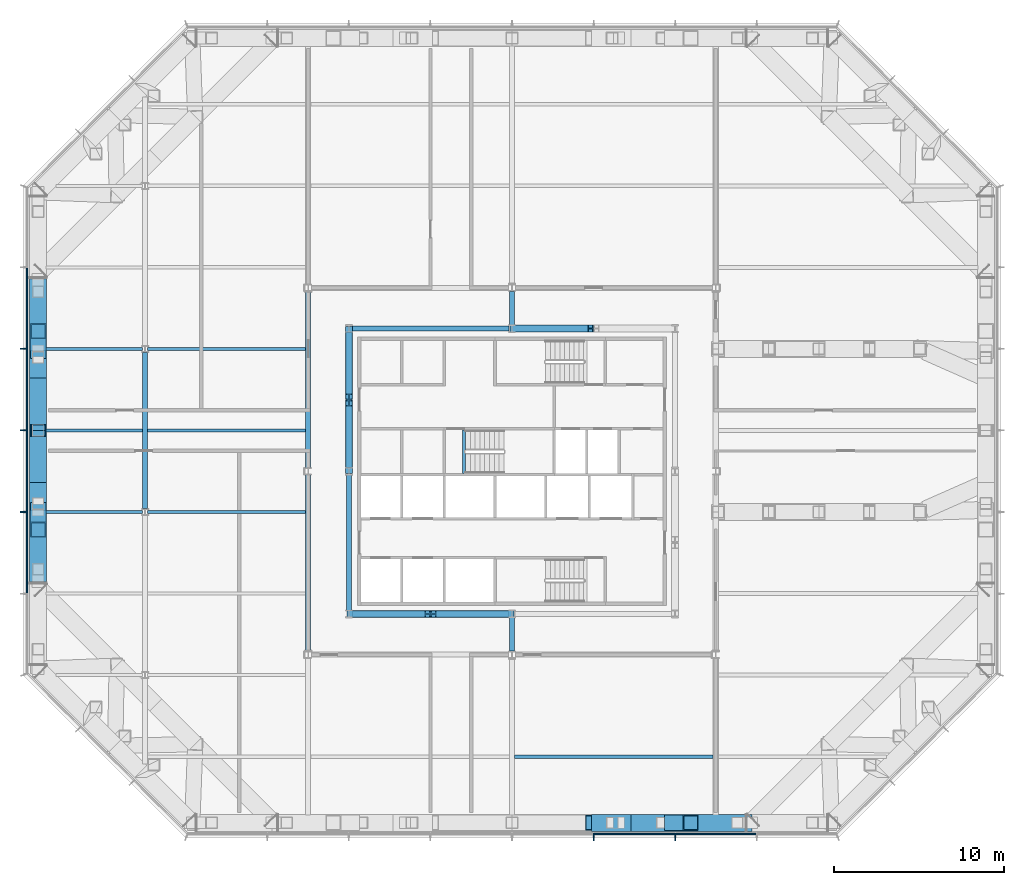
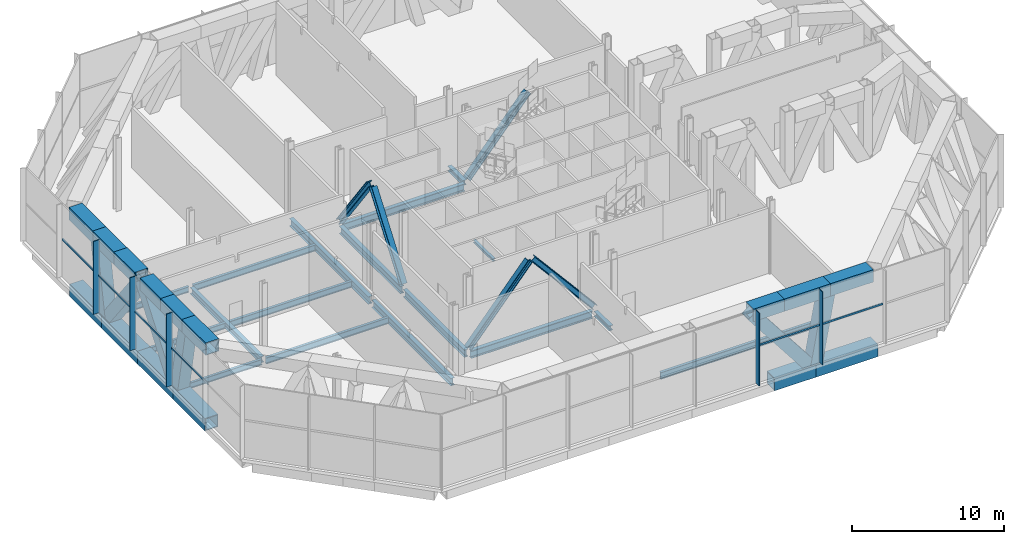
# One storey, part 4 of 17: 38 beams, 16 members, 2 elements without a shape of their own.
"""IFC4 building model written with IfcOpenShell, lengths in metres."""

from ifc_helpers import new_model, si_unit, direction, frame, origin, origin_2d, place, context, subcontext, project, spatial, rectangle, hollow_rectangle, i_section, extrude, material, material_profile, profile_set, type_object, element, aggregate, save


model = new_model("IFC4")

# Units and contexts
model_context = context("Model", 3, precision=1e-05, world=origin(), true_north=direction((0.0, 1.0)))
body_context = subcontext(model_context, "Body", "Model", "MODEL_VIEW")
ifc_project = project(units=[si_unit("LENGTHUNIT", "METRE"), si_unit("AREAUNIT", "SQUARE_METRE"), si_unit("VOLUMEUNIT", "CUBIC_METRE"), si_unit("PLANEANGLEUNIT", "RADIAN"), si_unit("MASSUNIT", "GRAM", prefix="KILO")], contexts=[model_context])

# Site, building, storey
site_placement = place(None, origin())
site = spatial("IfcSite", under=ifc_project, at=site_placement, CompositionType="ELEMENT")
building_placement = place(site_placement, origin())
building = spatial("IfcBuilding", under=site, at=building_placement, Name="Cairn Pilgrim Tower", CompositionType="ELEMENT")
storey_placement = place(building_placement, frame((0.0, 0.0, 119.39990234375)))
storey = spatial("IfcBuildingStorey", under=building, at=storey_placement, Name="L29", CompositionType="ELEMENT", Elevation=119.39990234375)

# Beams
ifc_material_1 = material(Name="Structural steel S460M", Category="steel")
ifc_material_profile_1 = material_profile(ifc_material_1, hollow_rectangle(XDim=1.0, YDim=1.0, WallThickness=0.06005859375, at=origin_2d()), Name="BOX 1000x1000x60")
ifc_profile_set_1 = profile_set([ifc_material_profile_1], Name="Structural steel S460M")
beam_type_1 = type_object("IfcBeamType", Name="BOX 1000x1000x60 CHORD", PredefinedType="USERDEFINED", material=ifc_profile_set_1)
beam_1_placement = place(storey_placement, frame((13.4755859375, -18.300048828125, -0.75), z_axis=(1.0, 0.0, 0.0), x_axis=(0.0, 1.0, 0.0)))
element("IfcBeam", 1, at=beam_1_placement, inside=storey, type_object=beam_type_1, Name="BT29-S-BC6", ObjectType="CHORD", PredefinedType="USERDEFINED", context=body_context, shape_type="SweptSolid", body=[
    extrude(hollow_rectangle(XDim=1.0, YDim=1.0, WallThickness=0.06005859375, at=origin_2d()), origin(), (0.0, 0.0, 1.0), 3.137939453125),
])
beam_2_placement = place(storey_placement, frame((11.875732421875, -18.300048828125, 5.35009765625), z_axis=(1.0, 0.0, 0.0), x_axis=(0.0, 1.0, 0.0)))
element("IfcBeam", 2, at=beam_2_placement, inside=storey, type_object=beam_type_1, Name="BT29-S-TC6", ObjectType="CHORD", PredefinedType="USERDEFINED", context=body_context, shape_type="SweptSolid", body=[
    extrude(hollow_rectangle(XDim=1.0, YDim=1.0, WallThickness=0.06005859375, at=origin_2d()), origin(), (0.0, 0.0, 1.0), 2.337890625),
])
beam_3_placement = place(storey_placement, frame((16.613525390625, -18.300048828125, -0.75), z_axis=(1.0, 0.0, 0.0), x_axis=(0.0, 1.0, 0.0)))
element("IfcBeam", 3, at=beam_3_placement, inside=storey, type_object=beam_type_1, Name="BT29-S-BC7", ObjectType="CHORD", PredefinedType="USERDEFINED", context=body_context, shape_type="SweptSolid", body=[
    extrude(hollow_rectangle(XDim=1.0, YDim=1.0, WallThickness=0.06005859375, at=origin_2d()), origin(), (0.0, 0.0, 1.0), 4.706787109375),
])
beam_4_placement = place(storey_placement, frame((14.213623046875, -18.300048828125, 5.35009765625), z_axis=(1.0, 0.0, 0.0), x_axis=(0.0, 1.0, 0.0)))
element("IfcBeam", 4, at=beam_4_placement, inside=storey, type_object=beam_type_1, Name="BT29-S-TC7", ObjectType="CHORD", PredefinedType="USERDEFINED", context=body_context, shape_type="SweptSolid", body=[
    extrude(hollow_rectangle(XDim=1.0, YDim=1.0, WallThickness=0.06005859375, at=origin_2d()), origin(), (0.0, 0.0, 1.0), 3.5068359375),
])
beam_5_placement = place(storey_placement, frame((17.720458984375, -18.300048828125, 5.35009765625), z_axis=(1.0, 0.0, 0.0), x_axis=(0.0, 1.0, 0.0)))
element("IfcBeam", 5, at=beam_5_placement, inside=storey, type_object=beam_type_1, Name="BT29-S-TC8", ObjectType="CHORD", PredefinedType="USERDEFINED", context=body_context, shape_type="SweptSolid", body=[
    extrude(hollow_rectangle(XDim=1.0, YDim=1.0, WallThickness=0.06005859375, at=origin_2d()), origin(), (0.0, 0.0, 1.0), 3.249755859375),
])
beam_6_placement = place(storey_placement, frame((-20.699951171875, 13.77001953125, 5.35009765625), z_axis=(0.0, -1.0, 0.0), x_axis=(1.0, 0.0, 0.0)))
element("IfcBeam", 6, at=beam_6_placement, inside=storey, type_object=beam_type_1, Name="BT29-W-TC1", ObjectType="CHORD", PredefinedType="USERDEFINED", context=body_context, shape_type="SweptSolid", body=[
    extrude(hollow_rectangle(XDim=1.0, YDim=1.0, WallThickness=0.06005859375, at=origin_2d()), origin(), (0.0, 0.0, 1.0), 3.126220703125),
])
beam_7_placement = place(storey_placement, frame((-20.699951171875, 13.683837890625, -0.75), z_axis=(0.0, -1.0, 0.0), x_axis=(1.0, 0.0, 0.0)))
element("IfcBeam", 7, at=beam_7_placement, inside=storey, type_object=beam_type_1, Name="BT29-W-BC2", ObjectType="CHORD", PredefinedType="USERDEFINED", context=body_context, shape_type="SweptSolid", body=[
    extrude(hollow_rectangle(XDim=1.0, YDim=1.0, WallThickness=0.06005859375, at=origin_2d()), origin(), (0.0, 0.0, 1.0), 4.208251953125),
])
beam_8_placement = place(storey_placement, frame((-20.699951171875, 10.643798828125, 5.35009765625), z_axis=(0.0, -1.0, 0.0), x_axis=(1.0, 0.0, 0.0)))
element("IfcBeam", 8, at=beam_8_placement, inside=storey, type_object=beam_type_1, Name="BT29-W-TC2", ObjectType="CHORD", PredefinedType="USERDEFINED", context=body_context, shape_type="SweptSolid", body=[
    extrude(hollow_rectangle(XDim=1.0, YDim=1.0, WallThickness=0.06005859375, at=origin_2d()), origin(), (0.0, 0.0, 1.0), 2.76806640625),
])
beam_9_placement = place(storey_placement, frame((-20.699951171875, 9.4755859375, -0.75), z_axis=(0.0, -1.0, 0.0), x_axis=(1.0, 0.0, 0.0)))
element("IfcBeam", 9, at=beam_9_placement, inside=storey, type_object=beam_type_1, Name="BT29-W-BC3", ObjectType="CHORD", PredefinedType="USERDEFINED", context=body_context, shape_type="SweptSolid", body=[
    extrude(hollow_rectangle(XDim=1.0, YDim=1.0, WallThickness=0.06005859375, at=origin_2d()), origin(), (0.0, 0.0, 1.0), 4.675537109375),
])
beam_10_placement = place(storey_placement, frame((-20.699951171875, 7.875732421875, 5.35009765625), z_axis=(0.0, -1.0, 0.0), x_axis=(1.0, 0.0, 0.0)))
element("IfcBeam", 10, at=beam_10_placement, inside=storey, type_object=beam_type_1, Name="BT29-W-TC3", ObjectType="CHORD", PredefinedType="USERDEFINED", context=body_context, shape_type="SweptSolid", body=[
    extrude(hollow_rectangle(XDim=1.0, YDim=1.0, WallThickness=0.06005859375, at=origin_2d()), origin(), (0.0, 0.0, 1.0), 2.725830078125),
])
beam_11_placement = place(storey_placement, frame((-20.699951171875, 4.800048828125, -0.75), z_axis=(0.0, -1.0, 0.0), x_axis=(1.0, 0.0, 0.0)))
element("IfcBeam", 11, at=beam_11_placement, inside=storey, type_object=beam_type_1, Name="BT29-W-BC4", ObjectType="CHORD", PredefinedType="USERDEFINED", context=body_context, shape_type="SweptSolid", body=[
    extrude(hollow_rectangle(XDim=1.0, YDim=1.0, WallThickness=0.06005859375, at=origin_2d()), origin(), (0.0, 0.0, 1.0), 4.67578125),
])
beam_12_placement = place(storey_placement, frame((-20.699951171875, 4.449951171875, 5.35009765625), z_axis=(0.0, -1.0, 0.0), x_axis=(1.0, 0.0, 0.0)))
element("IfcBeam", 12, at=beam_12_placement, inside=storey, type_object=beam_type_1, Name="BT29-W-TC4", ObjectType="CHORD", PredefinedType="USERDEFINED", context=body_context, shape_type="SweptSolid", body=[
    extrude(hollow_rectangle(XDim=1.0, YDim=1.0, WallThickness=0.06005859375, at=origin_2d()), origin(), (0.0, 0.0, 1.0), 2.7255859375),
])
beam_13_placement = place(storey_placement, frame((-20.699951171875, 0.124267578125, -0.75), z_axis=(0.0, -1.0, 0.0), x_axis=(1.0, 0.0, 0.0)))
element("IfcBeam", 13, at=beam_13_placement, inside=storey, type_object=beam_type_1, Name="BT29-W-BC5", ObjectType="CHORD", PredefinedType="USERDEFINED", context=body_context, shape_type="SweptSolid", body=[
    extrude(hollow_rectangle(XDim=1.0, YDim=1.0, WallThickness=0.06005859375, at=origin_2d()), origin(), (0.0, 0.0, 1.0), 4.208251953125),
])
beam_14_placement = place(storey_placement, frame((-20.699951171875, 1.724365234375, 5.35009765625), z_axis=(0.0, -1.0, 0.0), x_axis=(1.0, 0.0, 0.0)))
element("IfcBeam", 14, at=beam_14_placement, inside=storey, type_object=beam_type_1, Name="BT29-W-TC5", ObjectType="CHORD", PredefinedType="USERDEFINED", context=body_context, shape_type="SweptSolid", body=[
    extrude(hollow_rectangle(XDim=1.0, YDim=1.0, WallThickness=0.06005859375, at=origin_2d()), origin(), (0.0, 0.0, 1.0), 2.768310546875),
])
beam_15_placement = place(storey_placement, frame((-20.699951171875, -1.0439453125, 5.35009765625), z_axis=(0.0, -1.0, 0.0), x_axis=(1.0, 0.0, 0.0)))
element("IfcBeam", 15, at=beam_15_placement, inside=storey, type_object=beam_type_1, Name="BT29-W-TC6", ObjectType="CHORD", PredefinedType="USERDEFINED", context=body_context, shape_type="SweptSolid", body=[
    extrude(hollow_rectangle(XDim=1.0, YDim=1.0, WallThickness=0.06005859375, at=origin_2d()), origin(), (0.0, 0.0, 1.0), 3.126220703125),
])
ifc_material_profile_2 = material_profile(ifc_material_1, hollow_rectangle(XDim=0.89990234375, YDim=0.89990234375, WallThickness=0.050048828125, at=origin_2d()), Name="BOX 900x900x50")
ifc_profile_set_2 = profile_set([ifc_material_profile_2], Name="Structural steel S460M")
beam_type_2 = type_object("IfcBeamType", Name="BOX 900x900x50 DIAGONAL", PredefinedType="USERDEFINED", material=ifc_profile_set_2)
beam_16_placement = place(storey_placement, frame((11.875732421875, -18.300048828125, 5.35009765625), z_axis=(0.613397771934, 0.0, -0.789774128081), x_axis=(0.0, 1.0, 0.0)))
element("IfcBeam", 16, at=beam_16_placement, inside=storey, type_object=beam_type_2, Name="BT29-S-D6", ObjectType="DIAGONAL", PredefinedType="USERDEFINED", context=body_context, shape_type="SweptSolid", body=[
    extrude(hollow_rectangle(XDim=0.89990234375, YDim=0.89990234375, WallThickness=0.050048828125, at=origin_2d()), origin(), (0.0, 0.0, 1.0), 7.723876953125),
])
beam_17_placement = place(storey_placement, frame((16.613525390625, -18.300048828125, -0.75), z_axis=(0.178545820319, 0.0, 0.983931598256), x_axis=(0.0, 1.0, 0.0)))
element("IfcBeam", 17, at=beam_17_placement, inside=storey, type_object=beam_type_2, Name="BT29-S-D7", ObjectType="DIAGONAL", PredefinedType="USERDEFINED", context=body_context, shape_type="SweptSolid", body=[
    extrude(hollow_rectangle(XDim=0.89990234375, YDim=0.89990234375, WallThickness=0.050048828125, at=origin_2d()), origin(), (0.0, 0.0, 1.0), 6.19970703125),
])
beam_18_placement = place(storey_placement, frame((-20.699951171875, 10.643798828125, 5.35009765625), z_axis=(0.0, -0.188089212719, -0.982151947541), x_axis=(1.0, 0.0, 0.0)))
element("IfcBeam", 18, at=beam_18_placement, inside=storey, type_object=beam_type_2, Name="BT29-W-D2", ObjectType="DIAGONAL", PredefinedType="USERDEFINED", context=body_context, shape_type="SweptSolid", body=[
    extrude(hollow_rectangle(XDim=0.89990234375, YDim=0.89990234375, WallThickness=0.050048828125, at=origin_2d()), origin(), (0.0, 0.0, 1.0), 6.2109375),
])
beam_19_placement = place(storey_placement, frame((-20.699951171875, 9.4755859375, -0.75), z_axis=(0.0, -0.608332842725, 0.793682022262), x_axis=(1.0, 0.0, 0.0)))
element("IfcBeam", 19, at=beam_19_placement, inside=storey, type_object=beam_type_2, Name="BT29-W-D3", ObjectType="DIAGONAL", PredefinedType="USERDEFINED", context=body_context, shape_type="SweptSolid", body=[
    extrude(hollow_rectangle(XDim=0.89990234375, YDim=0.89990234375, WallThickness=0.050048828125, at=origin_2d()), origin(), (0.0, 0.0, 1.0), 7.685791015625),
])
beam_20_placement = place(storey_placement, frame((-20.699951171875, 4.800048828125, 5.35009765625), z_axis=(0.0, -0.608352851952, -0.793666685405), x_axis=(1.0, 0.0, 0.0)))
element("IfcBeam", 20, at=beam_20_placement, inside=storey, type_object=beam_type_2, Name="BT29-W-D4", ObjectType="DIAGONAL", PredefinedType="USERDEFINED", context=body_context, shape_type="SweptSolid", body=[
    extrude(hollow_rectangle(XDim=0.89990234375, YDim=0.89990234375, WallThickness=0.050048828125, at=origin_2d()), origin(), (0.0, 0.0, 1.0), 7.68603515625),
])
beam_21_placement = place(storey_placement, frame((-20.699951171875, 0.124267578125, -0.75), z_axis=(0.0, -0.188089212719, 0.982151947541), x_axis=(1.0, 0.0, 0.0)))
element("IfcBeam", 21, at=beam_21_placement, inside=storey, type_object=beam_type_2, Name="BT29-W-D5", ObjectType="DIAGONAL", PredefinedType="USERDEFINED", context=body_context, shape_type="SweptSolid", body=[
    extrude(hollow_rectangle(XDim=0.89990234375, YDim=0.89990234375, WallThickness=0.050048828125, at=origin_2d()), origin(), (0.0, 0.0, 1.0), 6.2109375),
])

# Curtain wall, members
ifc_material_2 = material(Name="Aluminium alloy 6063-T6 bronze anodised with Bronze tinted laminated low-E glass 8+16+8.8", Category="aluminium")
curtain_wall_type = type_object("IfcCurtainWallType", Name="PLANT LOUVRE CURTAIN WALL", PredefinedType="NOTDEFINED", material=ifc_material_2)
curtain_wall_1_placement = place(storey_placement, origin())
curtain_wall_1 = element("IfcCurtainWall", 22, at=curtain_wall_1_placement, inside=storey, type_object=curtain_wall_type, Name="Plant Louvre Curtain Wall S", PredefinedType="NOTDEFINED")
ifc_material_3 = material(Name="Aluminium alloy 6063-T6 bronze anodised", Category="aluminium")
ifc_material_profile_3 = material_profile(ifc_material_3, rectangle(XDim=0.449951171875, YDim=0.06005859375, at=origin_2d()), Name="FIN MULLION 60x450 BRONZE")
ifc_profile_set_3 = profile_set([ifc_material_profile_3], Name="Aluminium alloy 6063-T6 bronze anodised")
member_type_1 = type_object("IfcMemberType", Name="FIN MULLION 60x450 BRONZE", PredefinedType="MULLION", material=ifc_profile_set_3)
member_1_placement = place(storey_placement, frame((12.0, -19.14501953125, 0.0), z_axis=(0.0, 0.0, 1.0), x_axis=(0.0, -1.0, 0.0)))
member_1 = element("IfcMember", 23, at=member_1_placement, type_object=member_type_1, Name="Fin mullion S6", PredefinedType="MULLION", context=body_context, shape_type="SweptSolid", body=[
    extrude(rectangle(XDim=0.449951171875, YDim=0.06005859375, at=origin_2d()), origin(), (0.0, 0.0, 1.0), 5.85009765625),
])
member_2_placement = place(storey_placement, frame((16.800048828125, -19.14501953125, 0.0), z_axis=(0.0, 0.0, 1.0), x_axis=(0.0, -1.0, 0.0)))
member_2 = element("IfcMember", 24, at=member_2_placement, type_object=member_type_1, Name="Fin mullion S7", PredefinedType="MULLION", context=body_context, shape_type="SweptSolid", body=[
    extrude(rectangle(XDim=0.449951171875, YDim=0.06005859375, at=origin_2d()), origin(), (0.0, 0.0, 1.0), 5.85009765625),
])

curtain_wall_2_placement = place(storey_placement, origin())
curtain_wall_2 = element("IfcCurtainWall", 25, at=curtain_wall_2_placement, inside=storey, type_object=curtain_wall_type, Name="Plant Louvre Curtain Wall W", PredefinedType="NOTDEFINED")
member_3_placement = place(storey_placement, frame((-21.544921875, 9.60009765625, 0.0), z_axis=(0.0, 0.0, 1.0), x_axis=(-1.0, 0.0, 0.0)))
member_3 = element("IfcMember", 26, at=member_3_placement, type_object=member_type_1, Name="Fin mullion W3", PredefinedType="MULLION", context=body_context, shape_type="SweptSolid", body=[
    extrude(rectangle(XDim=0.449951171875, YDim=0.06005859375, at=origin_2d()), origin(), (0.0, 0.0, 1.0), 5.85009765625),
])
member_4_placement = place(storey_placement, frame((-21.544921875, 4.800048828125, 0.0), z_axis=(0.0, 0.0, 1.0), x_axis=(-1.0, 0.0, 0.0)))
member_4 = element("IfcMember", 27, at=member_4_placement, type_object=member_type_1, Name="Fin mullion W4", PredefinedType="MULLION", context=body_context, shape_type="SweptSolid", body=[
    extrude(rectangle(XDim=0.449951171875, YDim=0.06005859375, at=origin_2d()), origin(), (0.0, 0.0, 1.0), 5.85009765625),
])
member_5_placement = place(storey_placement, frame((-21.544921875, 0.0, 0.0), z_axis=(0.0, 0.0, 1.0), x_axis=(-1.0, 0.0, 0.0)))
member_5 = element("IfcMember", 28, at=member_5_placement, type_object=member_type_1, Name="Fin mullion W5", PredefinedType="MULLION", context=body_context, shape_type="SweptSolid", body=[
    extrude(rectangle(XDim=0.449951171875, YDim=0.06005859375, at=origin_2d()), origin(), (0.0, 0.0, 1.0), 5.85009765625),
])

# Members
ifc_material_profile_4 = material_profile(ifc_material_1, i_section(OverallWidth=0.408935546875, OverallDepth=0.425048828125, WebThickness=0.03271484375, FlangeThickness=0.052490234375, FilletRadius=0.014892578125, at=origin_2d()), Name="HD 400x421")
ifc_profile_set_4 = profile_set([ifc_material_profile_4], Name="Structural steel S460M")
member_type_2 = type_object("IfcMemberType", Name="HD 400x421 BRACE", PredefinedType="BRACE", material=ifc_profile_set_4)
for number, where, z_axis, x_axis, name in (
    (29, (-2.357666015625, -6.0, 0.0), (0.647235354124, 0.0, 0.762290231061), (0.0, 1.0, 0.0), "KB-1A"),
    (30, (7.15771484375, -6.0, 0.0), (-0.647235354124, 0.0, 0.762290231061), (0.0, -1.0, 0.0), "KB-1B"),
):
    element("IfcMember", number, at=place(storey_placement, frame(where, z_axis=z_axis, x_axis=x_axis)), inside=storey, type_object=member_type_2, Name=name, PredefinedType="BRACE", context=body_context, shape_type="SweptSolid", body=[
        extrude(i_section(OverallWidth=0.408935546875, OverallDepth=0.425048828125, WebThickness=0.03271484375, FlangeThickness=0.052490234375, FilletRadius=0.014892578125, at=origin_2d()), origin(), (0.0, 0.0, 1.0), 7.08740234375),
    ])
member_6_placement = place(storey_placement, frame((7.242431640625, 10.800048828125, 0.0), z_axis=(0.647215336442, 0.0, 0.76230722696), x_axis=(0.0, 1.0, 0.0)))
element("IfcMember", 31, at=member_6_placement, inside=storey, type_object=member_type_2, Name="KB-3B", PredefinedType="BRACE", context=body_context, shape_type="SweptSolid", body=[
    extrude(i_section(OverallWidth=0.408935546875, OverallDepth=0.425048828125, WebThickness=0.03271484375, FlangeThickness=0.052490234375, FilletRadius=0.014892578125, at=origin_2d()), origin(), (0.0, 0.0, 1.0), 7.087158203125),
])
for number, where, z_axis, x_axis, name in (
    (32, (-2.39990234375, 10.757568359375, 0.0), (0.0, -0.592111664467, 0.805855928068), (1.0, 0.0, 0.0), "KB-4A"),
    (33, (-2.39990234375, 2.4423828125, 0.0), (0.0, 0.592135310437, 0.805838553393), (-1.0, 0.0, 0.0), "KB-4B"),
):
    element("IfcMember", number, at=place(storey_placement, frame(where, z_axis=z_axis, x_axis=x_axis)), inside=storey, type_object=member_type_2, Name=name, PredefinedType="BRACE", context=body_context, shape_type="SweptSolid", body=[
        extrude(i_section(OverallWidth=0.408935546875, OverallDepth=0.425048828125, WebThickness=0.03271484375, FlangeThickness=0.052490234375, FilletRadius=0.014892578125, at=origin_2d()), origin(), (0.0, 0.0, 1.0), 6.704833984375),
    ])

# Beams
ifc_material_4 = material(Name="Structural steel S355J2", Category="steel")
ifc_material_profile_5 = material_profile(ifc_material_4, i_section(OverallWidth=0.300048828125, OverallDepth=0.39990234375, WebThickness=0.013427734375, FlangeThickness=0.02392578125, FilletRadius=0.027099609375, at=origin_2d()), Name="HEB 400")
ifc_profile_set_5 = profile_set([ifc_material_profile_5], Name="Structural steel S355J2")
beam_type_3 = type_object("IfcBeamType", Name="HEB 400 GIRDER", PredefinedType="BEAM", material=ifc_profile_set_5)
for number, where, z_axis, x_axis, name in (
    (34, (7.199951171875, -8.195556640625, -0.449951171875), (0.0, 1.0, 0.0), (-1.0, 0.0, 0.0), "PG3-E1"),
    (35, (7.199951171875, 11.011962890625, -0.449951171875), (0.0, 1.0, 0.0), (-1.0, 0.0, 0.0), "PG3-E2"),
):
    element("IfcBeam", number, at=place(storey_placement, frame(where, z_axis=z_axis, x_axis=x_axis)), inside=storey, type_object=beam_type_3, Name=name, PredefinedType="BEAM", context=body_context, shape_type="SweptSolid", body=[
        extrude(i_section(OverallWidth=0.300048828125, OverallDepth=0.39990234375, WebThickness=0.013427734375, FlangeThickness=0.02392578125, FilletRadius=0.027099609375, at=origin_2d()), origin(), (0.0, 0.0, 1.0), 1.983642578125),
    ])
ifc_material_profile_6 = material_profile(ifc_material_4, i_section(OverallWidth=0.300048828125, OverallDepth=0.5, WebThickness=0.014404296875, FlangeThickness=0.028076171875, FilletRadius=0.027099609375, at=origin_2d()), Name="HEB 500")
ifc_profile_set_6 = profile_set([ifc_material_profile_6], Name="Structural steel S355J2")
beam_type_4 = type_object("IfcBeamType", Name="HEB 500 GIRDER", PredefinedType="BEAM", material=ifc_profile_set_6)
beam_22_placement = place(storey_placement, frame((-14.39990234375, 0.199462890625, -0.5), z_axis=(0.0, 1.0, 0.0), x_axis=(-1.0, 0.0, 0.0)))
element("IfcBeam", 36, at=beam_22_placement, inside=storey, type_object=beam_type_4, Name="PG1-3", PredefinedType="BEAM", context=body_context, shape_type="SweptSolid", body=[
    extrude(i_section(OverallWidth=0.300048828125, OverallDepth=0.5, WebThickness=0.014404296875, FlangeThickness=0.028076171875, FilletRadius=0.027099609375, at=origin_2d()), origin(), (0.0, 0.0, 1.0), 9.200927734375),
])
ifc_material_profile_7 = material_profile(ifc_material_4, i_section(OverallWidth=0.300048828125, OverallDepth=0.60009765625, WebThickness=0.015380859375, FlangeThickness=0.030029296875, FilletRadius=0.027099609375, at=origin_2d()), Name="HEB 600")
ifc_profile_set_7 = profile_set([ifc_material_profile_7], Name="Structural steel S355J2")
beam_type_5 = type_object("IfcBeamType", Name="HEB 600 CORE BEAM", PredefinedType="BEAM", material=ifc_profile_set_7)
for number, where, z_axis, x_axis, name in (
    (37, (-2.209228515625, -6.0, -0.5498046875), (1.0, 0.0, 0.0), (0.0, 1.0, 0.0), "CB-1"),
    (38, (7.00927734375, 10.800048828125, -0.5498046875), (-1.0, 0.0, 0.0), (0.0, -1.0, 0.0), "CB-6"),
):
    element("IfcBeam", number, at=place(storey_placement, frame(where, z_axis=z_axis, x_axis=x_axis)), inside=storey, type_object=beam_type_5, Name=name, PredefinedType="BEAM", context=body_context, shape_type="SweptSolid", body=[
        extrude(i_section(OverallWidth=0.300048828125, OverallDepth=0.60009765625, WebThickness=0.015380859375, FlangeThickness=0.030029296875, FilletRadius=0.027099609375, at=origin_2d()), origin(), (0.0, 0.0, 1.0), 9.218505859375),
    ])
for number, where, z_axis, x_axis, name in (
    (39, (-2.39990234375, 10.609130859375, -0.5498046875), (0.0, -1.0, 0.0), (1.0, 0.0, 0.0), "CB-7"),
    (40, (-2.39990234375, 2.209228515625, -0.5498046875), (0.0, -1.0, 0.0), (1.0, 0.0, 0.0), "CB-8"),
):
    element("IfcBeam", number, at=place(storey_placement, frame(where, z_axis=z_axis, x_axis=x_axis)), inside=storey, type_object=beam_type_5, Name=name, PredefinedType="BEAM", context=body_context, shape_type="SweptSolid", body=[
        extrude(i_section(OverallWidth=0.300048828125, OverallDepth=0.60009765625, WebThickness=0.015380859375, FlangeThickness=0.030029296875, FilletRadius=0.027099609375, at=origin_2d()), origin(), (0.0, 0.0, 1.0), 8.018310546875),
    ])
ifc_material_profile_8 = material_profile(ifc_material_4, i_section(OverallWidth=0.300048828125, OverallDepth=0.60009765625, WebThickness=0.015380859375, FlangeThickness=0.030029296875, FilletRadius=0.027099609375, at=origin_2d()), Name="HEB 600")
ifc_profile_set_8 = profile_set([ifc_material_profile_8], Name="Structural steel S355J2")
beam_type_6 = type_object("IfcBeamType", Name="HEB 600 GIRDER", PredefinedType="BEAM", material=ifc_profile_set_8)
for number, where, z_axis, x_axis, name in (
    (41, (-4.800048828125, -8.195556640625, -0.5498046875), (0.0, 1.0, 0.0), (-1.0, 0.0, 0.0), "PG2-2"),
    (42, (-4.800048828125, 2.6044921875, -0.5498046875), (0.0, 1.0, 0.0), (-1.0, 0.0, 0.0), "PG2-3"),
):
    element("IfcBeam", number, at=place(storey_placement, frame(where, z_axis=z_axis, x_axis=x_axis)), inside=storey, type_object=beam_type_6, Name=name, PredefinedType="BEAM", context=body_context, shape_type="SweptSolid", body=[
        extrude(i_section(OverallWidth=0.300048828125, OverallDepth=0.60009765625, WebThickness=0.015380859375, FlangeThickness=0.030029296875, FilletRadius=0.027099609375, at=origin_2d()), origin(), (0.0, 0.0, 1.0), 10.39111328125),
    ])
ifc_material_profile_9 = material_profile(ifc_material_4, i_section(OverallWidth=0.18994140625, OverallDepth=0.449951171875, WebThickness=0.009521484375, FlangeThickness=0.0146484375, FilletRadius=0.02099609375, at=origin_2d()), Name="IPE 450")
ifc_profile_set_9 = profile_set([ifc_material_profile_9], Name="Structural steel S355J2")
beam_type_7 = type_object("IfcBeamType", Name="IPE 450 SECONDARY BEAM", PredefinedType="JOIST", material=ifc_profile_set_9)
for number, where, z_axis, x_axis, name in (
    (43, (-20.22998046875, 0.0, -0.474853515625), (1.0, 0.0, 0.0), (0.0, 1.0, 0.0), "SB4-1"),
    (44, (-20.22998046875, 4.800048828125, -0.474853515625), (1.0, 0.0, 0.0), (0.0, 1.0, 0.0), "SB5-1"),
    (45, (-20.22998046875, 9.60009765625, -0.474853515625), (1.0, 0.0, 0.0), (0.0, 1.0, 0.0), "SB6-1"),
):
    element("IfcBeam", number, at=place(storey_placement, frame(where, z_axis=z_axis, x_axis=x_axis)), inside=storey, type_object=beam_type_7, Name=name, PredefinedType="JOIST", context=body_context, shape_type="SweptSolid", body=[
        extrude(i_section(OverallWidth=0.18994140625, OverallDepth=0.449951171875, WebThickness=0.009521484375, FlangeThickness=0.0146484375, FilletRadius=0.02099609375, at=origin_2d()), origin(), (0.0, 0.0, 1.0), 5.679931640625),
    ])
ifc_material_profile_10 = material_profile(ifc_material_4, i_section(OverallWidth=0.199951171875, OverallDepth=0.5, WebThickness=0.01025390625, FlangeThickness=0.01611328125, FilletRadius=0.02099609375, at=origin_2d()), Name="IPE 500")
ifc_profile_set_10 = profile_set([ifc_material_profile_10], Name="Structural steel S355J2")
beam_type_8 = type_object("IfcBeamType", Name="IPE 500 SECONDARY BEAM", PredefinedType="JOIST", material=ifc_profile_set_10)
for number, where, z_axis, x_axis, name in (
    (46, (-14.25, 0.0, -0.5), (1.0, 0.0, 0.0), (0.0, 1.0, 0.0), "SB4-2"),
    (47, (-14.25, 4.800048828125, -0.5), (1.0, 0.0, 0.0), (0.0, 1.0, 0.0), "SB5-2"),
    (48, (-14.25, 9.60009765625, -0.5), (1.0, 0.0, 0.0), (0.0, 1.0, 0.0), "SB6-2"),
):
    element("IfcBeam", number, at=place(storey_placement, frame(where, z_axis=z_axis, x_axis=x_axis)), inside=storey, type_object=beam_type_8, Name=name, PredefinedType="JOIST", context=body_context, shape_type="SweptSolid", body=[
        extrude(i_section(OverallWidth=0.199951171875, OverallDepth=0.5, WebThickness=0.01025390625, FlangeThickness=0.01611328125, FilletRadius=0.02099609375, at=origin_2d()), origin(), (0.0, 0.0, 1.0), 9.300048828125),
    ])
ifc_material_profile_11 = material_profile(ifc_material_4, i_section(OverallWidth=0.2099609375, OverallDepth=0.550048828125, WebThickness=0.010986328125, FlangeThickness=0.01708984375, FilletRadius=0.02392578125, at=origin_2d()), Name="IPE 550")
ifc_profile_set_11 = profile_set([ifc_material_profile_11], Name="Structural steel S355J2")
beam_type_9 = type_object("IfcBeamType", Name="IPE 550 SECONDARY BEAM", PredefinedType="JOIST", material=ifc_profile_set_11)
beam_23_placement = place(storey_placement, frame((7.35009765625, -14.39990234375, -0.52490234375), z_axis=(1.0, 0.0, 0.0), x_axis=(0.0, 1.0, 0.0)))
element("IfcBeam", 49, at=beam_23_placement, inside=storey, type_object=beam_type_9, Name="SB1-3", PredefinedType="JOIST", context=body_context, shape_type="SweptSolid", body=[
    extrude(i_section(OverallWidth=0.2099609375, OverallDepth=0.550048828125, WebThickness=0.010986328125, FlangeThickness=0.01708984375, FilletRadius=0.02392578125, at=origin_2d()), origin(), (0.0, 0.0, 1.0), 11.699951171875),
])
ifc_material_profile_12 = material_profile(ifc_material_4, i_section(OverallWidth=0.199951171875, OverallDepth=0.199951171875, WebThickness=0.009033203125, FlangeThickness=0.014892578125, FilletRadius=0.01806640625, at=origin_2d()), Name="HE 200 B")
ifc_profile_set_12 = profile_set([ifc_material_profile_12], Name="Structural steel S355J2")
beam_type_10 = type_object("IfcBeamType", Name="STAIR LANDING BEAM HE 200 B", PredefinedType="BEAM", material=ifc_profile_set_12)
beam_24_placement = place(storey_placement, frame((4.37548828125, 2.27490234375, -0.349853515625), z_axis=(0.0, 1.0, 0.0), x_axis=(-1.0, 0.0, 0.0)))
element("IfcBeam", 50, at=beam_24_placement, inside=storey, type_object=beam_type_10, Name="STAIR LANDING BEAM LD-HE200B", PredefinedType="BEAM", context=body_context, shape_type="SweptSolid", body=[
    extrude(i_section(OverallWidth=0.199951171875, OverallDepth=0.199951171875, WebThickness=0.009033203125, FlangeThickness=0.014892578125, FilletRadius=0.01806640625, at=origin_2d()), origin(), (0.0, 0.0, 1.0), 2.550048828125),
])

# Member
ifc_material_profile_13 = material_profile(ifc_material_3, rectangle(XDim=0.080078125, YDim=0.14990234375, at=origin_2d()), Name="TRANSOM 80x150 BRONZE")
ifc_profile_set_13 = profile_set([ifc_material_profile_13], Name="Aluminium alloy 6063-T6 bronze anodised")
member_type_3 = type_object("IfcMemberType", Name="TRANSOM 80x150 BRONZE", PredefinedType="USERDEFINED", material=ifc_profile_set_13)
member_7_placement = place(storey_placement, frame((12.030029296875, -18.949951171875, 3.0), z_axis=(1.0, 0.0, 0.0), x_axis=(0.0, 1.0, 0.0)))
member_7 = element("IfcMember", 51, at=member_7_placement, type_object=member_type_3, Name="Transom S6", ObjectType="TRANSOM", PredefinedType="USERDEFINED", context=body_context, shape_type="SweptSolid", body=[
    extrude(rectangle(XDim=0.080078125, YDim=0.14990234375, at=origin_2d()), origin(), (0.0, 0.0, 1.0), 4.739990234375),
])

member_8_placement = place(storey_placement, frame((16.830078125, -18.949951171875, 3.0), z_axis=(1.0, 0.0, 0.0), x_axis=(0.0, 1.0, 0.0)))
member_8 = element("IfcMember", 52, at=member_8_placement, type_object=member_type_3, Name="Transom S7", ObjectType="TRANSOM", PredefinedType="USERDEFINED", context=body_context, shape_type="SweptSolid", body=[
    extrude(rectangle(XDim=0.080078125, YDim=0.14990234375, at=origin_2d()), origin(), (0.0, 0.0, 1.0), 4.739990234375),
])

aggregate(curtain_wall_1, [member_1, member_2, member_7, member_8])

member_9_placement = place(storey_placement, frame((-21.35009765625, 14.3701171875, 3.0), z_axis=(0.0, -1.0, 0.0), x_axis=(1.0, 0.0, 0.0)))
member_9 = element("IfcMember", 53, at=member_9_placement, type_object=member_type_3, Name="Transom W2", ObjectType="TRANSOM", PredefinedType="USERDEFINED", context=body_context, shape_type="SweptSolid", body=[
    extrude(rectangle(XDim=0.080078125, YDim=0.14990234375, at=origin_2d()), origin(), (0.0, 0.0, 1.0), 4.740234375),
])

member_10_placement = place(storey_placement, frame((-21.35009765625, 9.570068359375, 3.0), z_axis=(0.0, -1.0, 0.0), x_axis=(1.0, 0.0, 0.0)))
member_10 = element("IfcMember", 54, at=member_10_placement, type_object=member_type_3, Name="Transom W3", ObjectType="TRANSOM", PredefinedType="USERDEFINED", context=body_context, shape_type="SweptSolid", body=[
    extrude(rectangle(XDim=0.080078125, YDim=0.14990234375, at=origin_2d()), origin(), (0.0, 0.0, 1.0), 4.739990234375),
])

member_11_placement = place(storey_placement, frame((-21.35009765625, 4.77001953125, 3.0), z_axis=(0.0, -1.0, 0.0), x_axis=(1.0, 0.0, 0.0)))
member_11 = element("IfcMember", 55, at=member_11_placement, type_object=member_type_3, Name="Transom W4", ObjectType="TRANSOM", PredefinedType="USERDEFINED", context=body_context, shape_type="SweptSolid", body=[
    extrude(rectangle(XDim=0.080078125, YDim=0.14990234375, at=origin_2d()), origin(), (0.0, 0.0, 1.0), 4.739990234375),
])

member_12_placement = place(storey_placement, frame((-21.35009765625, -0.030029296875, 3.0), z_axis=(0.0, -1.0, 0.0), x_axis=(1.0, 0.0, 0.0)))
member_12 = element("IfcMember", 56, at=member_12_placement, type_object=member_type_3, Name="Transom W5", ObjectType="TRANSOM", PredefinedType="USERDEFINED", context=body_context, shape_type="SweptSolid", body=[
    extrude(rectangle(XDim=0.080078125, YDim=0.14990234375, at=origin_2d()), origin(), (0.0, 0.0, 1.0), 4.739990234375),
])

aggregate(curtain_wall_2, [member_3, member_4, member_5, member_9, member_10, member_11, member_12])

save(model, "model.ifc")
